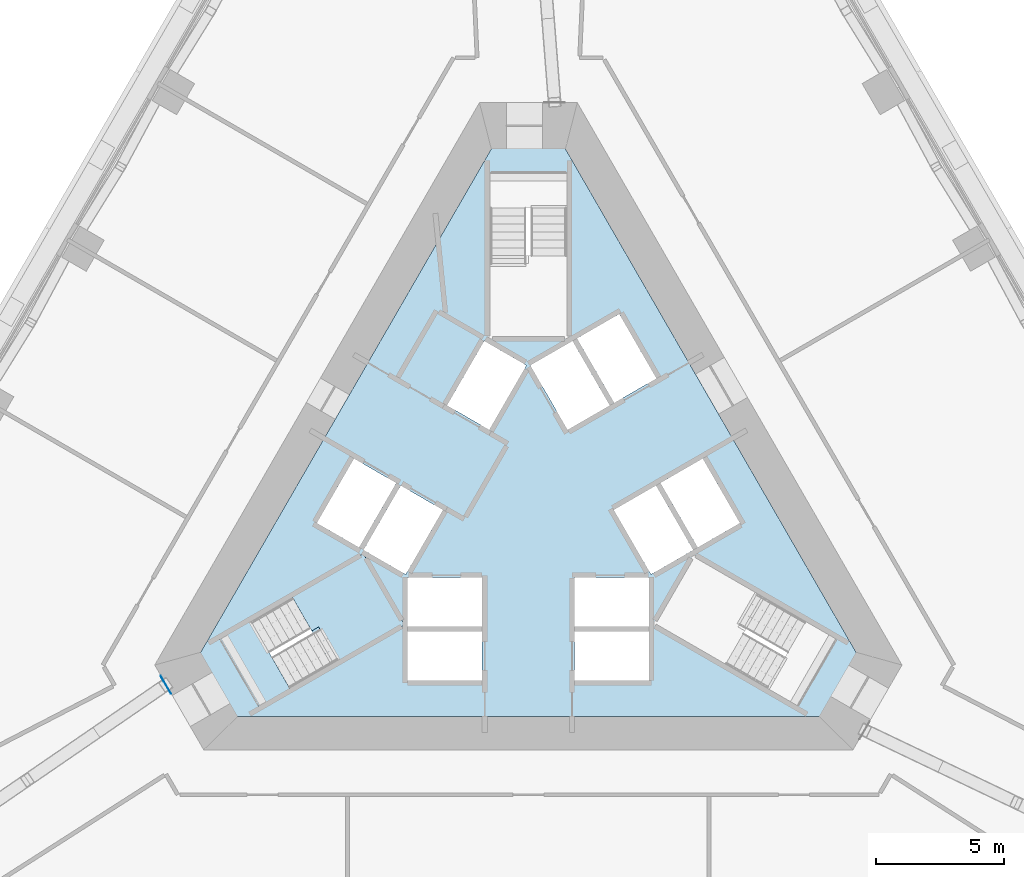
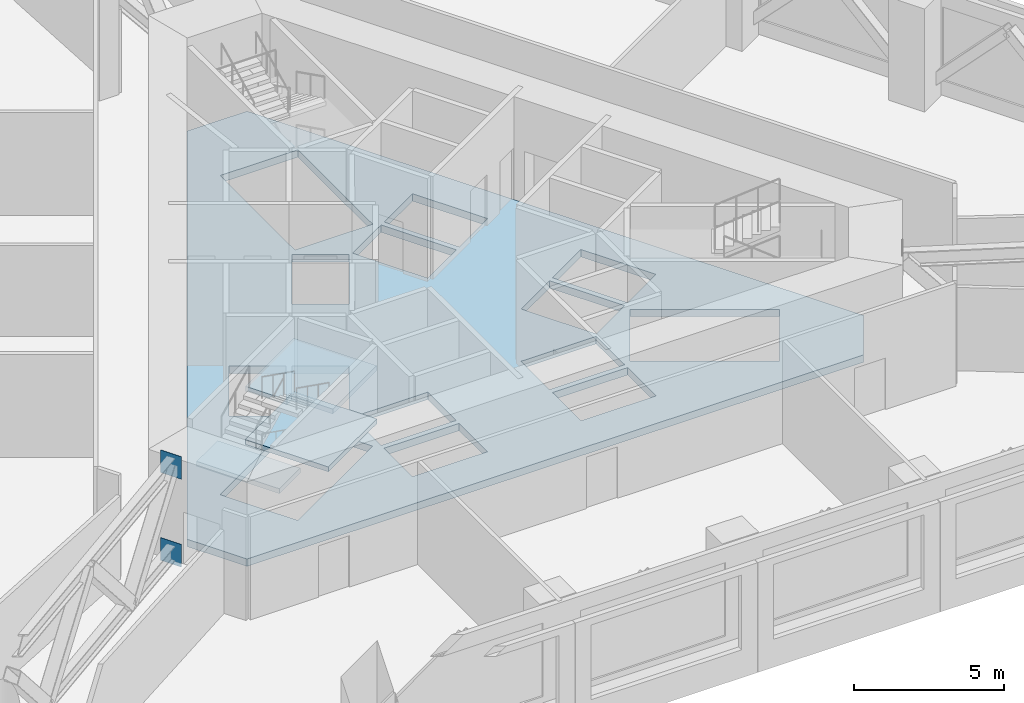
# One storey, part 3 of 12: 4 slabs, 2 plates, 1 element without a shape of its own.
"""IFC4 building model written with IfcOpenShell, lengths in metres."""

from ifc_helpers import new_model, si_unit, direction, frame, origin, origin_2d, place, context, subcontext, project, spatial, polyline, rectangle, outline, extrude, material, layer, layer_set, type_object, element, aggregate, save


model = new_model("IFC4")

# Units and contexts
model_context = context("Model", 3, precision=1e-05, world=origin(), true_north=direction((0.0, 1.0)))
body_context = subcontext(model_context, "Body", "Model", "MODEL_VIEW")
ifc_project = project(units=[si_unit("LENGTHUNIT", "METRE"), si_unit("AREAUNIT", "SQUARE_METRE"), si_unit("VOLUMEUNIT", "CUBIC_METRE"), si_unit("PLANEANGLEUNIT", "RADIAN"), si_unit("MASSUNIT", "GRAM", prefix="KILO")], contexts=[model_context])

# Site, building, storey
site_placement = place(None, origin())
site = spatial("IfcSite", under=ifc_project, at=site_placement, CompositionType="ELEMENT")
building_placement = place(site_placement, origin())
building = spatial("IfcBuilding", under=site, at=building_placement, Name="Triada Interchange Tower", CompositionType="ELEMENT")
storey_placement = place(building_placement, frame((0.0, 0.0, 99.800048828125)))
storey = spatial("IfcBuildingStorey", under=building, at=storey_placement, Name="L22", CompositionType="ELEMENT", Elevation=99.800048828125)

# Slab
ifc_material_1 = material(Name="Concrete C50/60", Category="concrete")
ifc_layer_1 = layer(ifc_material_1, 0.300048828125)
ifc_layer_set_1 = layer_set([ifc_layer_1], Name="Floor slab 300")
slab_type_1 = type_object("IfcSlabType", Name="Floor slab 300", PredefinedType="FLOOR", material=ifc_layer_set_1)
slab_1_placement = place(storey_placement, frame((0.0, 0.0, -0.300048828125)))
element("IfcSlab", 1, at=slab_1_placement, inside=storey, type_object=slab_type_1, Name="Core floor slab L22 1", PredefinedType="FLOOR", context=body_context, shape_type="SweptSolid", body=[
    extrude(outline(polyline([(13.048095703125, -6.199951171875), (11.89306640625, -8.199951171875), (-11.89306640625, -8.199951171875), (-13.048095703125, -6.199951171875), (-1.155029296875, 14.39990234375), (1.155029296875, 14.39990234375), (13.048095703125, -6.199951171875)]), holes=[polyline([(9.2958984375, -7.09912109375), (10.7958984375, -4.5009765625), (6.466064453125, -2.0009765625), (4.966064453125, -4.59912109375), (9.2958984375, -7.09912109375)]), polyline([(6.7890625, 1.841064453125), (5.14404296875, 0.89111328125), (6.593994140625, -1.6201171875), (8.239013671875, -0.669921875), (6.7890625, 1.841064453125)]), polyline([(4.969970703125, 0.791015625), (3.324951171875, -0.158935546875), (4.77490234375, -2.669921875), (6.419921875, -1.719970703125), (4.969970703125, 0.791015625)]), polyline([(1.89404296875, 6.52001953125), (3.343994140625, 4.009033203125), (4.989013671875, 4.958984375), (3.5390625, 7.469970703125), (1.89404296875, 6.52001953125)]), polyline([(1.800048828125, -4.89990234375), (1.800048828125, -6.800048828125), (4.699951171875, -6.800048828125), (4.699951171875, -4.89990234375), (1.800048828125, -4.89990234375)]), polyline([(1.800048828125, -2.800048828125), (1.800048828125, -4.3349609375), (1.800048828125, -4.699951171875), (4.699951171875, -4.699951171875), (4.699951171875, -2.800048828125), (1.800048828125, -2.800048828125)]), polyline([(1.52490234375, 2.958984375), (1.5380859375, 2.966064453125), (3.169921875, 3.908935546875), (1.719970703125, 6.419921875), (0.074951171875, 5.469970703125), (1.52490234375, 2.958984375)]), polyline([(1.5, 11.60009765625), (-1.5, 11.60009765625), (-1.5, 6.60009765625), (1.5, 6.60009765625), (1.5, 11.60009765625)]), polyline([(-0.074951171875, 5.469970703125), (-1.719970703125, 6.419921875), (-3.169921875, 3.908935546875), (-1.52490234375, 2.958984375), (-0.074951171875, 5.469970703125)]), polyline([(-4.699951171875, -2.800048828125), (-4.699951171875, -4.699951171875), (-1.800048828125, -4.699951171875), (-1.800048828125, -4.3349609375), (-1.800048828125, -2.800048828125), (-4.699951171875, -2.800048828125)]), polyline([(-4.699951171875, -4.89990234375), (-4.699951171875, -6.800048828125), (-1.800048828125, -6.800048828125), (-1.800048828125, -4.89990234375), (-4.699951171875, -4.89990234375)]), polyline([(-4.77490234375, -2.669921875), (-3.324951171875, -0.158935546875), (-4.969970703125, 0.791015625), (-6.419921875, -1.719970703125), (-4.77490234375, -2.669921875)]), polyline([(-10.7958984375, -4.5009765625), (-9.2958984375, -7.09912109375), (-4.966064453125, -4.59912109375), (-6.466064453125, -2.0009765625), (-10.7958984375, -4.5009765625)]), polyline([(-6.593994140625, -1.6201171875), (-5.14404296875, 0.89111328125), (-6.7890625, 1.841064453125), (-8.239013671875, -0.669921875), (-6.593994140625, -1.6201171875)])]), origin(), (0.0, 0.0, 1.0), 0.300048828125),
])

# Plates
ifc_material_2 = material(Name="Steel S460M", Category="steel")
ifc_layer_2 = layer(ifc_material_2, 0.01806640625)
ifc_layer_set_2 = layer_set([ifc_layer_2], Name="Outrigger end plate 18")
plate_type = type_object("IfcPlateType", Name="Outrigger end plate 18", PredefinedType="SHEET", material=ifc_layer_set_2)
for number, where, z_axis, x_axis, name in (
    (2, (-14.114990234375, -6.970947265625, -0.14990234375), (0.0, 0.0, 1.0), (-0.866025403784, -0.5, 0.0), "Outrigger end plate SW bottom L22"),
    (3, (-14.114990234375, -6.970947265625, 3.429931640625), (0.0, 0.0, 1.0), (-0.866025403784, -0.5, 0.0), "Outrigger end plate SW top L22"),
):
    element("IfcPlate", number, at=place(storey_placement, frame(where, z_axis=z_axis, x_axis=x_axis)), inside=storey, type_object=plate_type, Name=name, PredefinedType="SHEET", context=body_context, shape_type="SweptSolid", body=[
        extrude(rectangle(XDim=0.01806640625, YDim=0.800048828125, at=origin_2d()), origin(), (0.0, 0.0, 1.0), 0.919921875),
    ])

# Stair, slabs
ifc_material_3 = material(Name="Concrete C35/45", Category="concrete")
stair_type = type_object("IfcStairType", Name="HALF TURN STAIR 1400", PredefinedType="HALF_TURN_STAIR", material=ifc_material_3)
stair_placement = place(storey_placement, origin())
stair = element("IfcStair", 4, at=stair_placement, inside=storey, type_object=stair_type, Name="Exit stair S22-2", PredefinedType="HALF_TURN_STAIR")
ifc_layer_3 = layer(ifc_material_3, 0.199951171875)
ifc_layer_set_3 = layer_set([ifc_layer_3], Name="STAIR LANDING 200")
slab_type_2 = type_object("IfcSlabType", Name="STAIR LANDING 200", PredefinedType="LANDING", material=ifc_layer_set_3)
slab_2_placement = place(storey_placement, frame((0.0, 0.0, 0.88623046875)))
slab_2 = element("IfcSlab", 5, at=slab_2_placement, type_object=slab_type_2, Name="S22-2 landing 1", PredefinedType="LANDING", context=body_context, shape_type="SweptSolid", body=[
    extrude(outline(polyline([(-6.428955078125, -1.864013671875), (-9.235107421875, -3.48388671875), (-7.635009765625, -6.256103515625), (-4.8291015625, -4.635986328125), (-6.428955078125, -1.864013671875)])), origin(), (0.0, 0.0, 1.0), 0.199951171875),
])
slab_3_placement = place(storey_placement, frame((0.0, 0.0, 3.05859375)))
slab_3 = element("IfcSlab", 6, at=slab_3_placement, type_object=slab_type_2, Name="S22-2 landing 2", PredefinedType="LANDING", context=body_context, shape_type="SweptSolid", body=[
    extrude(outline(polyline([(-6.428955078125, -1.864013671875), (-9.235107421875, -3.48388671875), (-8.43505859375, -4.8701171875), (-8.1669921875, -4.715087890625), (-7.366943359375, -6.10107421875), (-4.8291015625, -4.635986328125), (-6.428955078125, -1.864013671875)])), origin(), (0.0, 0.0, 1.0), 0.199951171875),
])
slab_4_placement = place(storey_placement, frame((0.0, 0.0, 1.972412109375)))
slab_4 = element("IfcSlab", 7, at=slab_4_placement, type_object=slab_type_2, Name="S22-2 landing 3", PredefinedType="LANDING", context=body_context, shape_type="SweptSolid", body=[
    extrude(outline(polyline([(-10.845947265625, -4.4140625), (-12.05810546875, -5.114013671875), (-10.4580078125, -7.885986328125), (-9.24609375, -7.18603515625), (-10.845947265625, -4.4140625)])), origin(), (0.0, 0.0, 1.0), 0.199951171875),
])
aggregate(stair, [slab_2, slab_3, slab_4])

save(model, "model.ifc")
